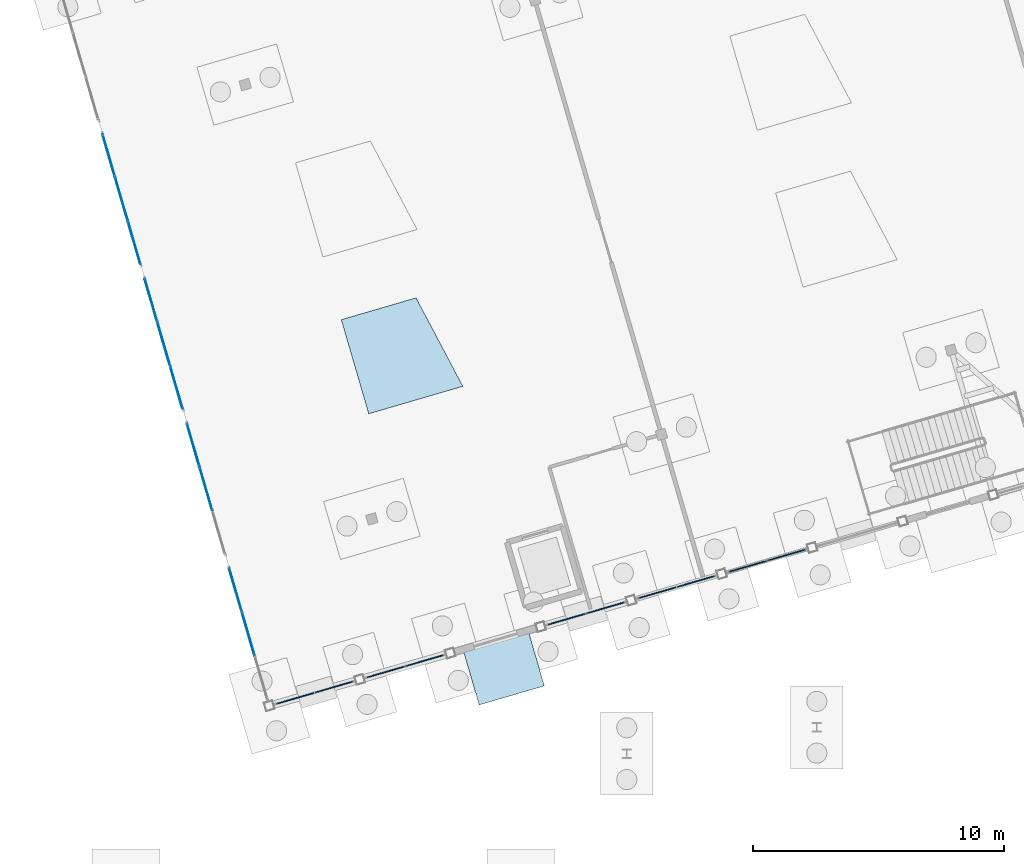
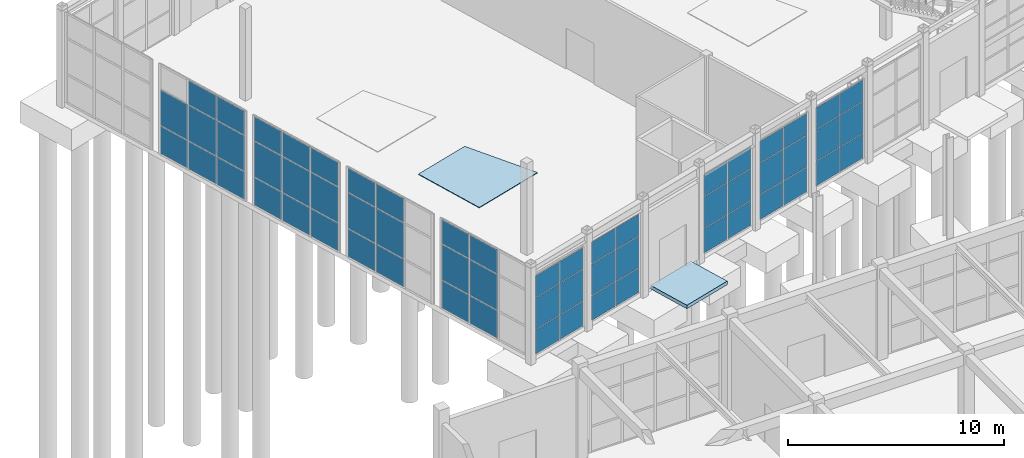
# One storey, part 62 of 90: 59 plates, 2 slabs, 9 elements without a shape of their own.
"""IFC4 building model written with IfcOpenShell, lengths in metres."""

from ifc_helpers import new_model, si_unit, direction, frame, origin, origin_2d, place, context, subcontext, project, spatial, polyline, rectangle, outline, extrude, material, layer, layer_set, type_object, element, aggregate, save


model = new_model("IFC4")

# Units and contexts
model_context = context("Model", 3, precision=1e-05, world=origin(), true_north=direction((0.0, 1.0)))
body_context = subcontext(model_context, "Body", "Model", "MODEL_VIEW")
ifc_project = project(units=[si_unit("LENGTHUNIT", "METRE"), si_unit("AREAUNIT", "SQUARE_METRE"), si_unit("VOLUMEUNIT", "CUBIC_METRE"), si_unit("PLANEANGLEUNIT", "RADIAN"), si_unit("MASSUNIT", "GRAM", prefix="KILO")], contexts=[model_context])

# Site, building, storey
site_placement = place(None, origin())
site = spatial("IfcSite", under=ifc_project, at=site_placement, CompositionType="ELEMENT")
building_placement = place(site_placement, origin())
building = spatial("IfcBuilding", under=site, at=building_placement, Name="Canggui Botanical Conservatory", CompositionType="ELEMENT")
storey_placement = place(building_placement, origin())
storey = spatial("IfcBuildingStorey", under=building, at=storey_placement, Name="L01", CompositionType="ELEMENT", Elevation=0.0)

# Curtain wall, plates
ifc_material_1 = material(Name="Thermally Broken Aluminium", Category="aluminium")
ifc_layer_1 = layer(ifc_material_1, 0.14990234375, Name="Thermally Broken Aluminium", Category="aluminium")
ifc_layer_set_1 = layer_set([ifc_layer_1], Name="Thermally Broken Aluminium")
curtain_wall_type_1 = type_object("IfcCurtainWallType", Name="CW-UNIT-C", PredefinedType="USERDEFINED", material=ifc_layer_set_1)
curtain_wall_1_placement = place(storey_placement, origin())
curtain_wall_1 = element("IfcCurtainWall", 1, at=curtain_wall_1_placement, inside=storey, type_object=curtain_wall_type_1, Name="Facade Curtain Wall CW-CONS-GABLE-S-01", ObjectType="UNITISED CURTAIN WALL", PredefinedType="USERDEFINED")
ifc_material_2 = material(Name="Low-E Insulated Glass", Category="glass")
ifc_layer_2 = layer(ifc_material_2, 0.033935546875, Name="Low-E Insulated Glass", Category="glass")
ifc_layer_set_2 = layer_set([ifc_layer_2], Name="Low-E Insulated Glass")
plate_type_1 = type_object("IfcPlateType", Name="CWP-03", PredefinedType="CURTAIN_PANEL", material=ifc_layer_set_2)
plate_1_placement = place(storey_placement, frame((19.159912109375, 44.8798828125, 0.05517578125), z_axis=(0.0, 0.0, 1.0), x_axis=(-0.279999999995, 0.960000000002, 0.0)))
plate_1 = element("IfcPlate", 2, at=plate_1_placement, type_object=plate_type_1, Name="CW-03 panel 2.1", PredefinedType="CURTAIN_PANEL", context=body_context, shape_type="SweptSolid", body=[
    extrude(rectangle(XDim=1.7734375, YDim=0.033935546875, at=origin_2d()), origin(), (0.0, 0.0, 1.0), 1.549560546875),
])
plate_2_placement = place(storey_placement, frame((19.159912109375, 44.8798828125, 1.65966796875), z_axis=(0.0, 0.0, 1.0), x_axis=(-0.279999999995, 0.960000000002, 0.0)))
plate_2 = element("IfcPlate", 3, at=plate_2_placement, type_object=plate_type_1, Name="CW-03 panel 2.2", PredefinedType="CURTAIN_PANEL", context=body_context, shape_type="SweptSolid", body=[
    extrude(rectangle(XDim=1.7734375, YDim=0.033935546875, at=origin_2d()), origin(), (0.0, 0.0, 1.0), 1.985107421875),
])
plate_3_placement = place(storey_placement, frame((19.159912109375, 44.8798828125, 3.69970703125), z_axis=(0.0, 0.0, 1.0), x_axis=(-0.279999999995, 0.960000000002, 0.0)))
plate_3 = element("IfcPlate", 4, at=plate_3_placement, type_object=plate_type_1, Name="CW-03 panel 2.3", PredefinedType="CURTAIN_PANEL", context=body_context, shape_type="SweptSolid", body=[
    extrude(rectangle(XDim=1.7734375, YDim=0.033935546875, at=origin_2d()), origin(), (0.0, 0.0, 1.0), 1.345458984375),
])
plate_4_placement = place(storey_placement, frame((18.65087890625, 46.62548828125, 0.05517578125), z_axis=(0.0, 0.0, 1.0), x_axis=(-0.279999999995, 0.960000000002, 0.0)))
plate_4 = element("IfcPlate", 5, at=plate_4_placement, type_object=plate_type_1, Name="CW-03 panel 3.1", PredefinedType="CURTAIN_PANEL", context=body_context, shape_type="SweptSolid", body=[
    extrude(rectangle(XDim=1.743408203125, YDim=0.033935546875, at=origin_2d()), origin(), (0.0, 0.0, 1.0), 1.549560546875),
])
plate_5_placement = place(storey_placement, frame((18.65087890625, 46.62548828125, 1.65966796875), z_axis=(0.0, 0.0, 1.0), x_axis=(-0.279999999995, 0.960000000002, 0.0)))
plate_5 = element("IfcPlate", 6, at=plate_5_placement, type_object=plate_type_1, Name="CW-03 panel 3.2", PredefinedType="CURTAIN_PANEL", context=body_context, shape_type="SweptSolid", body=[
    extrude(rectangle(XDim=1.743408203125, YDim=0.033935546875, at=origin_2d()), origin(), (0.0, 0.0, 1.0), 1.985107421875),
])
plate_6_placement = place(storey_placement, frame((18.65087890625, 46.62548828125, 3.69970703125), z_axis=(0.0, 0.0, 1.0), x_axis=(-0.279999999995, 0.960000000002, 0.0)))
plate_6 = element("IfcPlate", 7, at=plate_6_placement, type_object=plate_type_1, Name="CW-03 panel 3.3", PredefinedType="CURTAIN_PANEL", context=body_context, shape_type="SweptSolid", body=[
    extrude(rectangle(XDim=1.743408203125, YDim=0.033935546875, at=origin_2d()), origin(), (0.0, 0.0, 1.0), 1.345458984375),
])
aggregate(curtain_wall_1, [plate_1, plate_2, plate_3, plate_4, plate_5, plate_6])

curtain_wall_2_placement = place(storey_placement, origin())
curtain_wall_2 = element("IfcCurtainWall", 8, at=curtain_wall_2_placement, inside=storey, type_object=curtain_wall_type_1, Name="Facade Curtain Wall CW-CONS-GABLE-S-02", ObjectType="UNITISED CURTAIN WALL", PredefinedType="USERDEFINED")
plate_7_placement = place(storey_placement, frame((17.47998046875, 50.639892578125, 0.05517578125), z_axis=(0.0, 0.0, 1.0), x_axis=(-0.279999999995, 0.960000000002, 0.0)))
plate_7 = element("IfcPlate", 9, at=plate_7_placement, type_object=plate_type_1, Name="CW-03 panel 2.1", PredefinedType="CURTAIN_PANEL", context=body_context, shape_type="SweptSolid", body=[
    extrude(rectangle(XDim=1.7734375, YDim=0.033935546875, at=origin_2d()), origin(), (0.0, 0.0, 1.0), 1.549560546875),
])
plate_8_placement = place(storey_placement, frame((17.47998046875, 50.639892578125, 1.65966796875), z_axis=(0.0, 0.0, 1.0), x_axis=(-0.279999999995, 0.960000000002, 0.0)))
plate_8 = element("IfcPlate", 10, at=plate_8_placement, type_object=plate_type_1, Name="CW-03 panel 2.2", PredefinedType="CURTAIN_PANEL", context=body_context, shape_type="SweptSolid", body=[
    extrude(rectangle(XDim=1.7734375, YDim=0.033935546875, at=origin_2d()), origin(), (0.0, 0.0, 1.0), 1.985107421875),
])
plate_9_placement = place(storey_placement, frame((17.47998046875, 50.639892578125, 3.69970703125), z_axis=(0.0, 0.0, 1.0), x_axis=(-0.279999999995, 0.960000000002, 0.0)))
plate_9 = element("IfcPlate", 11, at=plate_9_placement, type_object=plate_type_1, Name="CW-03 panel 2.3", PredefinedType="CURTAIN_PANEL", context=body_context, shape_type="SweptSolid", body=[
    extrude(rectangle(XDim=1.7734375, YDim=0.033935546875, at=origin_2d()), origin(), (0.0, 0.0, 1.0), 1.345458984375),
])
plate_10_placement = place(storey_placement, frame((16.970947265625, 52.385498046875, 0.05517578125), z_axis=(0.0, 0.0, 1.0), x_axis=(-0.279999999995, 0.960000000002, 0.0)))
plate_10 = element("IfcPlate", 12, at=plate_10_placement, type_object=plate_type_1, Name="CW-03 panel 3.1", PredefinedType="CURTAIN_PANEL", context=body_context, shape_type="SweptSolid", body=[
    extrude(rectangle(XDim=1.743408203125, YDim=0.033935546875, at=origin_2d()), origin(), (0.0, 0.0, 1.0), 1.549560546875),
])
plate_11_placement = place(storey_placement, frame((16.970947265625, 52.385498046875, 1.65966796875), z_axis=(0.0, 0.0, 1.0), x_axis=(-0.279999999995, 0.960000000002, 0.0)))
plate_11 = element("IfcPlate", 13, at=plate_11_placement, type_object=plate_type_1, Name="CW-03 panel 3.2", PredefinedType="CURTAIN_PANEL", context=body_context, shape_type="SweptSolid", body=[
    extrude(rectangle(XDim=1.743408203125, YDim=0.033935546875, at=origin_2d()), origin(), (0.0, 0.0, 1.0), 1.985107421875),
])
plate_12_placement = place(storey_placement, frame((16.970947265625, 52.385498046875, 3.69970703125), z_axis=(0.0, 0.0, 1.0), x_axis=(-0.279999999995, 0.960000000002, 0.0)))
plate_12 = element("IfcPlate", 14, at=plate_12_placement, type_object=plate_type_1, Name="CW-03 panel 3.3", PredefinedType="CURTAIN_PANEL", context=body_context, shape_type="SweptSolid", body=[
    extrude(rectangle(XDim=1.743408203125, YDim=0.033935546875, at=origin_2d()), origin(), (0.0, 0.0, 1.0), 1.345458984375),
])
aggregate(curtain_wall_2, [plate_7, plate_8, plate_9, plate_10, plate_11, plate_12])

curtain_wall_3_placement = place(storey_placement, origin())
curtain_wall_3 = element("IfcCurtainWall", 15, at=curtain_wall_3_placement, inside=storey, type_object=curtain_wall_type_1, Name="Facade Curtain Wall CW-CONS-GABLE-S-03", ObjectType="UNITISED CURTAIN WALL", PredefinedType="USERDEFINED")
plate_13_placement = place(storey_placement, frame((16.30908203125, 54.654296875, 0.05517578125), z_axis=(0.0, 0.0, 1.0), x_axis=(-0.279999999995, 0.960000000002, 0.0)))
plate_13 = element("IfcPlate", 16, at=plate_13_placement, type_object=plate_type_1, Name="CW-03 panel 1.1", PredefinedType="CURTAIN_PANEL", context=body_context, shape_type="SweptSolid", body=[
    extrude(rectangle(XDim=1.743408203125, YDim=0.033935546875, at=origin_2d()), origin(), (0.0, 0.0, 1.0), 1.549560546875),
])
plate_14_placement = place(storey_placement, frame((16.30908203125, 54.654296875, 1.65966796875), z_axis=(0.0, 0.0, 1.0), x_axis=(-0.279999999995, 0.960000000002, 0.0)))
plate_14 = element("IfcPlate", 17, at=plate_14_placement, type_object=plate_type_1, Name="CW-03 panel 1.2", PredefinedType="CURTAIN_PANEL", context=body_context, shape_type="SweptSolid", body=[
    extrude(rectangle(XDim=1.743408203125, YDim=0.033935546875, at=origin_2d()), origin(), (0.0, 0.0, 1.0), 1.985107421875),
])
plate_15_placement = place(storey_placement, frame((16.30908203125, 54.654296875, 3.69970703125), z_axis=(0.0, 0.0, 1.0), x_axis=(-0.279999999995, 0.960000000002, 0.0)))
plate_15 = element("IfcPlate", 18, at=plate_15_placement, type_object=plate_type_1, Name="CW-03 panel 1.3", PredefinedType="CURTAIN_PANEL", context=body_context, shape_type="SweptSolid", body=[
    extrude(rectangle(XDim=1.743408203125, YDim=0.033935546875, at=origin_2d()), origin(), (0.0, 0.0, 1.0), 1.345458984375),
])
plate_16_placement = place(storey_placement, frame((15.800048828125, 56.39990234375, 0.05517578125), z_axis=(0.0, 0.0, 1.0), x_axis=(-0.279999999995, 0.960000000002, 0.0)))
plate_16 = element("IfcPlate", 19, at=plate_16_placement, type_object=plate_type_1, Name="CW-03 panel 2.1", PredefinedType="CURTAIN_PANEL", context=body_context, shape_type="SweptSolid", body=[
    extrude(rectangle(XDim=1.7734375, YDim=0.033935546875, at=origin_2d()), origin(), (0.0, 0.0, 1.0), 1.549560546875),
])
plate_17_placement = place(storey_placement, frame((15.800048828125, 56.39990234375, 1.65966796875), z_axis=(0.0, 0.0, 1.0), x_axis=(-0.279999999995, 0.960000000002, 0.0)))
plate_17 = element("IfcPlate", 20, at=plate_17_placement, type_object=plate_type_1, Name="CW-03 panel 2.2", PredefinedType="CURTAIN_PANEL", context=body_context, shape_type="SweptSolid", body=[
    extrude(rectangle(XDim=1.7734375, YDim=0.033935546875, at=origin_2d()), origin(), (0.0, 0.0, 1.0), 1.985107421875),
])
plate_18_placement = place(storey_placement, frame((15.800048828125, 56.39990234375, 3.69970703125), z_axis=(0.0, 0.0, 1.0), x_axis=(-0.279999999995, 0.960000000002, 0.0)))
plate_18 = element("IfcPlate", 21, at=plate_18_placement, type_object=plate_type_1, Name="CW-03 panel 2.3", PredefinedType="CURTAIN_PANEL", context=body_context, shape_type="SweptSolid", body=[
    extrude(rectangle(XDim=1.7734375, YDim=0.033935546875, at=origin_2d()), origin(), (0.0, 0.0, 1.0), 1.345458984375),
])
plate_19_placement = place(storey_placement, frame((15.290771484375, 58.1455078125, 0.05517578125), z_axis=(0.0, 0.0, 1.0), x_axis=(-0.279999999995, 0.960000000002, 0.0)))
plate_19 = element("IfcPlate", 22, at=plate_19_placement, type_object=plate_type_1, Name="CW-03 panel 3.1", PredefinedType="CURTAIN_PANEL", context=body_context, shape_type="SweptSolid", body=[
    extrude(rectangle(XDim=1.743408203125, YDim=0.033935546875, at=origin_2d()), origin(), (0.0, 0.0, 1.0), 1.549560546875),
])
plate_20_placement = place(storey_placement, frame((15.290771484375, 58.1455078125, 1.65966796875), z_axis=(0.0, 0.0, 1.0), x_axis=(-0.279999999995, 0.960000000002, 0.0)))
plate_20 = element("IfcPlate", 23, at=plate_20_placement, type_object=plate_type_1, Name="CW-03 panel 3.2", PredefinedType="CURTAIN_PANEL", context=body_context, shape_type="SweptSolid", body=[
    extrude(rectangle(XDim=1.743408203125, YDim=0.033935546875, at=origin_2d()), origin(), (0.0, 0.0, 1.0), 1.985107421875),
])
plate_21_placement = place(storey_placement, frame((15.290771484375, 58.1455078125, 3.69970703125), z_axis=(0.0, 0.0, 1.0), x_axis=(-0.279999999995, 0.960000000002, 0.0)))
plate_21 = element("IfcPlate", 24, at=plate_21_placement, type_object=plate_type_1, Name="CW-03 panel 3.3", PredefinedType="CURTAIN_PANEL", context=body_context, shape_type="SweptSolid", body=[
    extrude(rectangle(XDim=1.743408203125, YDim=0.033935546875, at=origin_2d()), origin(), (0.0, 0.0, 1.0), 1.345458984375),
])
aggregate(curtain_wall_3, [plate_13, plate_14, plate_15, plate_16, plate_17, plate_18, plate_19, plate_20, plate_21])

curtain_wall_4_placement = place(storey_placement, origin())
curtain_wall_4 = element("IfcCurtainWall", 25, at=curtain_wall_4_placement, inside=storey, type_object=curtain_wall_type_1, Name="Facade Curtain Wall CW-CONS-GABLE-S-04", ObjectType="UNITISED CURTAIN WALL", PredefinedType="USERDEFINED")
plate_22_placement = place(storey_placement, frame((14.629150390625, 60.414306640625, 0.05517578125), z_axis=(0.0, 0.0, 1.0), x_axis=(-0.279999999995, 0.960000000002, 0.0)))
plate_22 = element("IfcPlate", 26, at=plate_22_placement, type_object=plate_type_1, Name="CW-03 panel 1.1", PredefinedType="CURTAIN_PANEL", context=body_context, shape_type="SweptSolid", body=[
    extrude(rectangle(XDim=1.743408203125, YDim=0.033935546875, at=origin_2d()), origin(), (0.0, 0.0, 1.0), 1.549560546875),
])
plate_23_placement = place(storey_placement, frame((14.629150390625, 60.414306640625, 1.65966796875), z_axis=(0.0, 0.0, 1.0), x_axis=(-0.279999999995, 0.960000000002, 0.0)))
plate_23 = element("IfcPlate", 27, at=plate_23_placement, type_object=plate_type_1, Name="CW-03 panel 1.2", PredefinedType="CURTAIN_PANEL", context=body_context, shape_type="SweptSolid", body=[
    extrude(rectangle(XDim=1.743408203125, YDim=0.033935546875, at=origin_2d()), origin(), (0.0, 0.0, 1.0), 1.985107421875),
])
plate_24_placement = place(storey_placement, frame((14.629150390625, 60.414306640625, 3.69970703125), z_axis=(0.0, 0.0, 1.0), x_axis=(-0.279999999995, 0.960000000002, 0.0)))
plate_24 = element("IfcPlate", 28, at=plate_24_placement, type_object=plate_type_1, Name="CW-03 panel 1.3", PredefinedType="CURTAIN_PANEL", context=body_context, shape_type="SweptSolid", body=[
    extrude(rectangle(XDim=1.743408203125, YDim=0.033935546875, at=origin_2d()), origin(), (0.0, 0.0, 1.0), 1.345458984375),
])
plate_25_placement = place(storey_placement, frame((14.1201171875, 62.159912109375, 0.05517578125), z_axis=(0.0, 0.0, 1.0), x_axis=(-0.279999999995, 0.960000000002, 0.0)))
plate_25 = element("IfcPlate", 29, at=plate_25_placement, type_object=plate_type_1, Name="CW-03 panel 2.1", PredefinedType="CURTAIN_PANEL", context=body_context, shape_type="SweptSolid", body=[
    extrude(rectangle(XDim=1.7734375, YDim=0.033935546875, at=origin_2d()), origin(), (0.0, 0.0, 1.0), 1.549560546875),
])
plate_26_placement = place(storey_placement, frame((14.1201171875, 62.159912109375, 1.65966796875), z_axis=(0.0, 0.0, 1.0), x_axis=(-0.279999999995, 0.960000000002, 0.0)))
plate_26 = element("IfcPlate", 30, at=plate_26_placement, type_object=plate_type_1, Name="CW-03 panel 2.2", PredefinedType="CURTAIN_PANEL", context=body_context, shape_type="SweptSolid", body=[
    extrude(rectangle(XDim=1.7734375, YDim=0.033935546875, at=origin_2d()), origin(), (0.0, 0.0, 1.0), 1.985107421875),
])
plate_27_placement = place(storey_placement, frame((14.1201171875, 62.159912109375, 3.69970703125), z_axis=(0.0, 0.0, 1.0), x_axis=(-0.279999999995, 0.960000000002, 0.0)))
plate_27 = element("IfcPlate", 31, at=plate_27_placement, type_object=plate_type_1, Name="CW-03 panel 2.3", PredefinedType="CURTAIN_PANEL", context=body_context, shape_type="SweptSolid", body=[
    extrude(rectangle(XDim=1.7734375, YDim=0.033935546875, at=origin_2d()), origin(), (0.0, 0.0, 1.0), 1.345458984375),
])
plate_28_placement = place(storey_placement, frame((13.61083984375, 63.905517578125, 0.05517578125), z_axis=(0.0, 0.0, 1.0), x_axis=(-0.279999999995, 0.960000000002, 0.0)))
plate_28 = element("IfcPlate", 32, at=plate_28_placement, type_object=plate_type_1, Name="CW-03 panel 3.1", PredefinedType="CURTAIN_PANEL", context=body_context, shape_type="SweptSolid", body=[
    extrude(rectangle(XDim=1.743408203125, YDim=0.033935546875, at=origin_2d()), origin(), (0.0, 0.0, 1.0), 1.549560546875),
])
plate_29_placement = place(storey_placement, frame((13.61083984375, 63.905517578125, 1.65966796875), z_axis=(0.0, 0.0, 1.0), x_axis=(-0.279999999995, 0.960000000002, 0.0)))
plate_29 = element("IfcPlate", 33, at=plate_29_placement, type_object=plate_type_1, Name="CW-03 panel 3.2", PredefinedType="CURTAIN_PANEL", context=body_context, shape_type="SweptSolid", body=[
    extrude(rectangle(XDim=1.743408203125, YDim=0.033935546875, at=origin_2d()), origin(), (0.0, 0.0, 1.0), 1.985107421875),
])
aggregate(curtain_wall_4, [plate_22, plate_23, plate_24, plate_25, plate_26, plate_27, plate_28, plate_29])

ifc_layer_3 = layer(ifc_material_1, 0.1201171875, Name="Thermally Broken Aluminium", Category="aluminium")
ifc_layer_set_3 = layer_set([ifc_layer_3], Name="Thermally Broken Aluminium")
curtain_wall_type_2 = type_object("IfcCurtainWallType", Name="CW-STICK-B", PredefinedType="USERDEFINED", material=ifc_layer_set_3)
curtain_wall_5_placement = place(storey_placement, origin())
curtain_wall_5 = element("IfcCurtainWall", 34, at=curtain_wall_5_placement, inside=storey, type_object=curtain_wall_type_2, Name="Facade Curtain Wall CW-CONS-L01-V0-01", ObjectType="STICK GLAZED WALL", PredefinedType="USERDEFINED")
ifc_layer_4 = layer(ifc_material_2, 0.0419921875, Name="Low-E Insulated Glass", Category="glass")
ifc_layer_set_4 = layer_set([ifc_layer_4], Name="Low-E Insulated Glass")
plate_type_2 = type_object("IfcPlateType", Name="CWP-05", PredefinedType="CURTAIN_PANEL", material=ifc_layer_set_4)
plate_30_placement = place(storey_placement, frame((22.56689453125, 42.74853515625, 0.044921875), z_axis=(0.0, 0.0, 1.0), x_axis=(-0.960000000002, -0.279999999995, 0.0)))
plate_30 = element("IfcPlate", 35, at=plate_30_placement, type_object=plate_type_2, Name="CW-05 panel 1.1", PredefinedType="CURTAIN_PANEL", context=body_context, shape_type="SweptSolid", body=[
    extrude(rectangle(XDim=1.54248046875, YDim=0.0419921875, at=origin_2d()), origin(), (0.0, 0.0, 1.0), 1.37255859375),
])
plate_31_placement = place(storey_placement, frame((22.56689453125, 42.74853515625, 1.462646484375), z_axis=(0.0, 0.0, 1.0), x_axis=(-0.960000000002, -0.279999999995, 0.0)))
plate_31 = element("IfcPlate", 36, at=plate_31_placement, type_object=plate_type_2, Name="CW-05 panel 1.2", PredefinedType="CURTAIN_PANEL", context=body_context, shape_type="SweptSolid", body=[
    extrude(rectangle(XDim=1.54248046875, YDim=0.0419921875, at=origin_2d()), origin(), (0.0, 0.0, 1.0), 1.7548828125),
])
plate_32_placement = place(storey_placement, frame((22.56689453125, 42.74853515625, 3.262451171875), z_axis=(0.0, 0.0, 1.0), x_axis=(-0.960000000002, -0.279999999995, 0.0)))
plate_32 = element("IfcPlate", 37, at=plate_32_placement, type_object=plate_type_2, Name="CW-05 panel 1.3", PredefinedType="CURTAIN_PANEL", context=body_context, shape_type="SweptSolid", body=[
    extrude(rectangle(XDim=1.54248046875, YDim=0.0419921875, at=origin_2d()), origin(), (0.0, 0.0, 1.0), 1.1923828125),
])
plate_33_placement = place(storey_placement, frame((21.033203125, 42.30126953125, 0.044921875), z_axis=(0.0, 0.0, 1.0), x_axis=(-0.960000000002, -0.279999999995, 0.0)))
plate_33 = element("IfcPlate", 38, at=plate_33_placement, type_object=plate_type_2, Name="CW-05 panel 2.1", PredefinedType="CURTAIN_PANEL", context=body_context, shape_type="SweptSolid", body=[
    extrude(rectangle(XDim=1.54248046875, YDim=0.0419921875, at=origin_2d()), origin(), (0.0, 0.0, 1.0), 1.37255859375),
])
plate_34_placement = place(storey_placement, frame((21.033203125, 42.30126953125, 1.462646484375), z_axis=(0.0, 0.0, 1.0), x_axis=(-0.960000000002, -0.279999999995, 0.0)))
plate_34 = element("IfcPlate", 39, at=plate_34_placement, type_object=plate_type_2, Name="CW-05 panel 2.2", PredefinedType="CURTAIN_PANEL", context=body_context, shape_type="SweptSolid", body=[
    extrude(rectangle(XDim=1.54248046875, YDim=0.0419921875, at=origin_2d()), origin(), (0.0, 0.0, 1.0), 1.7548828125),
])
plate_35_placement = place(storey_placement, frame((21.033203125, 42.30126953125, 3.262451171875), z_axis=(0.0, 0.0, 1.0), x_axis=(-0.960000000002, -0.279999999995, 0.0)))
plate_35 = element("IfcPlate", 40, at=plate_35_placement, type_object=plate_type_2, Name="CW-05 panel 2.3", PredefinedType="CURTAIN_PANEL", context=body_context, shape_type="SweptSolid", body=[
    extrude(rectangle(XDim=1.54248046875, YDim=0.0419921875, at=origin_2d()), origin(), (0.0, 0.0, 1.0), 1.1923828125),
])
aggregate(curtain_wall_5, [plate_30, plate_31, plate_32, plate_33, plate_34, plate_35])

curtain_wall_6_placement = place(storey_placement, origin())
curtain_wall_6 = element("IfcCurtainWall", 41, at=curtain_wall_6_placement, inside=storey, type_object=curtain_wall_type_2, Name="Facade Curtain Wall CW-CONS-L01-V0-02", ObjectType="STICK GLAZED WALL", PredefinedType="USERDEFINED")
plate_36_placement = place(storey_placement, frame((26.166748046875, 43.798583984375, 0.044921875), z_axis=(0.0, 0.0, 1.0), x_axis=(-0.960000000002, -0.279999999995, 0.0)))
plate_36 = element("IfcPlate", 42, at=plate_36_placement, type_object=plate_type_2, Name="CW-05 panel 1.1", PredefinedType="CURTAIN_PANEL", context=body_context, shape_type="SweptSolid", body=[
    extrude(rectangle(XDim=1.54248046875, YDim=0.0419921875, at=origin_2d()), origin(), (0.0, 0.0, 1.0), 1.37255859375),
])
plate_37_placement = place(storey_placement, frame((26.166748046875, 43.798583984375, 1.462646484375), z_axis=(0.0, 0.0, 1.0), x_axis=(-0.960000000002, -0.279999999995, 0.0)))
plate_37 = element("IfcPlate", 43, at=plate_37_placement, type_object=plate_type_2, Name="CW-05 panel 1.2", PredefinedType="CURTAIN_PANEL", context=body_context, shape_type="SweptSolid", body=[
    extrude(rectangle(XDim=1.54248046875, YDim=0.0419921875, at=origin_2d()), origin(), (0.0, 0.0, 1.0), 1.7548828125),
])
plate_38_placement = place(storey_placement, frame((26.166748046875, 43.798583984375, 3.262451171875), z_axis=(0.0, 0.0, 1.0), x_axis=(-0.960000000002, -0.279999999995, 0.0)))
plate_38 = element("IfcPlate", 44, at=plate_38_placement, type_object=plate_type_2, Name="CW-05 panel 1.3", PredefinedType="CURTAIN_PANEL", context=body_context, shape_type="SweptSolid", body=[
    extrude(rectangle(XDim=1.54248046875, YDim=0.0419921875, at=origin_2d()), origin(), (0.0, 0.0, 1.0), 1.1923828125),
])
plate_39_placement = place(storey_placement, frame((24.63330078125, 43.351318359375, 0.044921875), z_axis=(0.0, 0.0, 1.0), x_axis=(-0.960000000002, -0.279999999995, 0.0)))
plate_39 = element("IfcPlate", 45, at=plate_39_placement, type_object=plate_type_2, Name="CW-05 panel 2.1", PredefinedType="CURTAIN_PANEL", context=body_context, shape_type="SweptSolid", body=[
    extrude(rectangle(XDim=1.54248046875, YDim=0.0419921875, at=origin_2d()), origin(), (0.0, 0.0, 1.0), 1.37255859375),
])
plate_40_placement = place(storey_placement, frame((24.63330078125, 43.351318359375, 1.462646484375), z_axis=(0.0, 0.0, 1.0), x_axis=(-0.960000000002, -0.279999999995, 0.0)))
plate_40 = element("IfcPlate", 46, at=plate_40_placement, type_object=plate_type_2, Name="CW-05 panel 2.2", PredefinedType="CURTAIN_PANEL", context=body_context, shape_type="SweptSolid", body=[
    extrude(rectangle(XDim=1.54248046875, YDim=0.0419921875, at=origin_2d()), origin(), (0.0, 0.0, 1.0), 1.7548828125),
])
plate_41_placement = place(storey_placement, frame((24.63330078125, 43.351318359375, 3.262451171875), z_axis=(0.0, 0.0, 1.0), x_axis=(-0.960000000002, -0.279999999995, 0.0)))
plate_41 = element("IfcPlate", 47, at=plate_41_placement, type_object=plate_type_2, Name="CW-05 panel 2.3", PredefinedType="CURTAIN_PANEL", context=body_context, shape_type="SweptSolid", body=[
    extrude(rectangle(XDim=1.54248046875, YDim=0.0419921875, at=origin_2d()), origin(), (0.0, 0.0, 1.0), 1.1923828125),
])
aggregate(curtain_wall_6, [plate_36, plate_37, plate_38, plate_39, plate_40, plate_41])

curtain_wall_7_placement = place(storey_placement, origin())
curtain_wall_7 = element("IfcCurtainWall", 48, at=curtain_wall_7_placement, inside=storey, type_object=curtain_wall_type_2, Name="Facade Curtain Wall CW-CONS-L01-V0-04", ObjectType="STICK GLAZED WALL", PredefinedType="USERDEFINED")
plate_42_placement = place(storey_placement, frame((33.36669921875, 45.898681640625, 0.044921875), z_axis=(0.0, 0.0, 1.0), x_axis=(-0.960000000002, -0.279999999995, 0.0)))
plate_42 = element("IfcPlate", 49, at=plate_42_placement, type_object=plate_type_2, Name="CW-05 panel 1.1", PredefinedType="CURTAIN_PANEL", context=body_context, shape_type="SweptSolid", body=[
    extrude(rectangle(XDim=1.54248046875, YDim=0.0419921875, at=origin_2d()), origin(), (0.0, 0.0, 1.0), 1.37255859375),
])
plate_43_placement = place(storey_placement, frame((33.36669921875, 45.898681640625, 1.462646484375), z_axis=(0.0, 0.0, 1.0), x_axis=(-0.960000000002, -0.279999999995, 0.0)))
plate_43 = element("IfcPlate", 50, at=plate_43_placement, type_object=plate_type_2, Name="CW-05 panel 1.2", PredefinedType="CURTAIN_PANEL", context=body_context, shape_type="SweptSolid", body=[
    extrude(rectangle(XDim=1.54248046875, YDim=0.0419921875, at=origin_2d()), origin(), (0.0, 0.0, 1.0), 1.7548828125),
])
plate_44_placement = place(storey_placement, frame((33.36669921875, 45.898681640625, 3.262451171875), z_axis=(0.0, 0.0, 1.0), x_axis=(-0.960000000002, -0.279999999995, 0.0)))
plate_44 = element("IfcPlate", 51, at=plate_44_placement, type_object=plate_type_2, Name="CW-05 panel 1.3", PredefinedType="CURTAIN_PANEL", context=body_context, shape_type="SweptSolid", body=[
    extrude(rectangle(XDim=1.54248046875, YDim=0.0419921875, at=origin_2d()), origin(), (0.0, 0.0, 1.0), 1.1923828125),
])
plate_45_placement = place(storey_placement, frame((31.833251953125, 45.451416015625, 0.044921875), z_axis=(0.0, 0.0, 1.0), x_axis=(-0.960000000002, -0.279999999995, 0.0)))
plate_45 = element("IfcPlate", 52, at=plate_45_placement, type_object=plate_type_2, Name="CW-05 panel 2.1", PredefinedType="CURTAIN_PANEL", context=body_context, shape_type="SweptSolid", body=[
    extrude(rectangle(XDim=1.54248046875, YDim=0.0419921875, at=origin_2d()), origin(), (0.0, 0.0, 1.0), 1.37255859375),
])
plate_46_placement = place(storey_placement, frame((31.833251953125, 45.451416015625, 1.462646484375), z_axis=(0.0, 0.0, 1.0), x_axis=(-0.960000000002, -0.279999999995, 0.0)))
plate_46 = element("IfcPlate", 53, at=plate_46_placement, type_object=plate_type_2, Name="CW-05 panel 2.2", PredefinedType="CURTAIN_PANEL", context=body_context, shape_type="SweptSolid", body=[
    extrude(rectangle(XDim=1.54248046875, YDim=0.0419921875, at=origin_2d()), origin(), (0.0, 0.0, 1.0), 1.7548828125),
])
plate_47_placement = place(storey_placement, frame((31.833251953125, 45.451416015625, 3.262451171875), z_axis=(0.0, 0.0, 1.0), x_axis=(-0.960000000002, -0.279999999995, 0.0)))
plate_47 = element("IfcPlate", 54, at=plate_47_placement, type_object=plate_type_2, Name="CW-05 panel 2.3", PredefinedType="CURTAIN_PANEL", context=body_context, shape_type="SweptSolid", body=[
    extrude(rectangle(XDim=1.54248046875, YDim=0.0419921875, at=origin_2d()), origin(), (0.0, 0.0, 1.0), 1.1923828125),
])
aggregate(curtain_wall_7, [plate_42, plate_43, plate_44, plate_45, plate_46, plate_47])

curtain_wall_8_placement = place(storey_placement, origin())
curtain_wall_8 = element("IfcCurtainWall", 55, at=curtain_wall_8_placement, inside=storey, type_object=curtain_wall_type_2, Name="Facade Curtain Wall CW-CONS-L01-V0-05", ObjectType="STICK GLAZED WALL", PredefinedType="USERDEFINED")
plate_48_placement = place(storey_placement, frame((36.966796875, 46.94873046875, 0.044921875), z_axis=(0.0, 0.0, 1.0), x_axis=(-0.960000000002, -0.279999999995, 0.0)))
plate_48 = element("IfcPlate", 56, at=plate_48_placement, type_object=plate_type_2, Name="CW-05 panel 1.1", PredefinedType="CURTAIN_PANEL", context=body_context, shape_type="SweptSolid", body=[
    extrude(rectangle(XDim=1.54248046875, YDim=0.0419921875, at=origin_2d()), origin(), (0.0, 0.0, 1.0), 1.37255859375),
])
plate_49_placement = place(storey_placement, frame((36.966796875, 46.94873046875, 1.462646484375), z_axis=(0.0, 0.0, 1.0), x_axis=(-0.960000000002, -0.279999999995, 0.0)))
plate_49 = element("IfcPlate", 57, at=plate_49_placement, type_object=plate_type_2, Name="CW-05 panel 1.2", PredefinedType="CURTAIN_PANEL", context=body_context, shape_type="SweptSolid", body=[
    extrude(rectangle(XDim=1.54248046875, YDim=0.0419921875, at=origin_2d()), origin(), (0.0, 0.0, 1.0), 1.7548828125),
])
plate_50_placement = place(storey_placement, frame((36.966796875, 46.94873046875, 3.262451171875), z_axis=(0.0, 0.0, 1.0), x_axis=(-0.960000000002, -0.279999999995, 0.0)))
plate_50 = element("IfcPlate", 58, at=plate_50_placement, type_object=plate_type_2, Name="CW-05 panel 1.3", PredefinedType="CURTAIN_PANEL", context=body_context, shape_type="SweptSolid", body=[
    extrude(rectangle(XDim=1.54248046875, YDim=0.0419921875, at=origin_2d()), origin(), (0.0, 0.0, 1.0), 1.1923828125),
])
plate_51_placement = place(storey_placement, frame((35.43310546875, 46.50146484375, 0.044921875), z_axis=(0.0, 0.0, 1.0), x_axis=(-0.960000000002, -0.279999999995, 0.0)))
plate_51 = element("IfcPlate", 59, at=plate_51_placement, type_object=plate_type_2, Name="CW-05 panel 2.1", PredefinedType="CURTAIN_PANEL", context=body_context, shape_type="SweptSolid", body=[
    extrude(rectangle(XDim=1.54248046875, YDim=0.0419921875, at=origin_2d()), origin(), (0.0, 0.0, 1.0), 1.37255859375),
])
plate_52_placement = place(storey_placement, frame((35.43310546875, 46.50146484375, 1.462646484375), z_axis=(0.0, 0.0, 1.0), x_axis=(-0.960000000002, -0.279999999995, 0.0)))
plate_52 = element("IfcPlate", 60, at=plate_52_placement, type_object=plate_type_2, Name="CW-05 panel 2.2", PredefinedType="CURTAIN_PANEL", context=body_context, shape_type="SweptSolid", body=[
    extrude(rectangle(XDim=1.54248046875, YDim=0.0419921875, at=origin_2d()), origin(), (0.0, 0.0, 1.0), 1.7548828125),
])
plate_53_placement = place(storey_placement, frame((35.43310546875, 46.50146484375, 3.262451171875), z_axis=(0.0, 0.0, 1.0), x_axis=(-0.960000000002, -0.279999999995, 0.0)))
plate_53 = element("IfcPlate", 61, at=plate_53_placement, type_object=plate_type_2, Name="CW-05 panel 2.3", PredefinedType="CURTAIN_PANEL", context=body_context, shape_type="SweptSolid", body=[
    extrude(rectangle(XDim=1.54248046875, YDim=0.0419921875, at=origin_2d()), origin(), (0.0, 0.0, 1.0), 1.1923828125),
])
aggregate(curtain_wall_8, [plate_48, plate_49, plate_50, plate_51, plate_52, plate_53])

curtain_wall_9_placement = place(storey_placement, origin())
curtain_wall_9 = element("IfcCurtainWall", 62, at=curtain_wall_9_placement, inside=storey, type_object=curtain_wall_type_2, Name="Facade Curtain Wall CW-CONS-L01-V0-06", ObjectType="STICK GLAZED WALL", PredefinedType="USERDEFINED")
plate_54_placement = place(storey_placement, frame((40.56689453125, 47.99853515625, 0.044921875), z_axis=(0.0, 0.0, 1.0), x_axis=(-0.960000000002, -0.279999999995, 0.0)))
plate_54 = element("IfcPlate", 63, at=plate_54_placement, type_object=plate_type_2, Name="CW-05 panel 1.1", PredefinedType="CURTAIN_PANEL", context=body_context, shape_type="SweptSolid", body=[
    extrude(rectangle(XDim=1.54248046875, YDim=0.0419921875, at=origin_2d()), origin(), (0.0, 0.0, 1.0), 1.37255859375),
])
plate_55_placement = place(storey_placement, frame((40.56689453125, 47.99853515625, 1.462646484375), z_axis=(0.0, 0.0, 1.0), x_axis=(-0.960000000002, -0.279999999995, 0.0)))
plate_55 = element("IfcPlate", 64, at=plate_55_placement, type_object=plate_type_2, Name="CW-05 panel 1.2", PredefinedType="CURTAIN_PANEL", context=body_context, shape_type="SweptSolid", body=[
    extrude(rectangle(XDim=1.54248046875, YDim=0.0419921875, at=origin_2d()), origin(), (0.0, 0.0, 1.0), 1.7548828125),
])
plate_56_placement = place(storey_placement, frame((40.56689453125, 47.99853515625, 3.262451171875), z_axis=(0.0, 0.0, 1.0), x_axis=(-0.960000000002, -0.279999999995, 0.0)))
plate_56 = element("IfcPlate", 65, at=plate_56_placement, type_object=plate_type_2, Name="CW-05 panel 1.3", PredefinedType="CURTAIN_PANEL", context=body_context, shape_type="SweptSolid", body=[
    extrude(rectangle(XDim=1.54248046875, YDim=0.0419921875, at=origin_2d()), origin(), (0.0, 0.0, 1.0), 1.1923828125),
])
plate_57_placement = place(storey_placement, frame((39.033203125, 47.55126953125, 0.044921875), z_axis=(0.0, 0.0, 1.0), x_axis=(-0.960000000002, -0.279999999995, 0.0)))
plate_57 = element("IfcPlate", 66, at=plate_57_placement, type_object=plate_type_2, Name="CW-05 panel 2.1", PredefinedType="CURTAIN_PANEL", context=body_context, shape_type="SweptSolid", body=[
    extrude(rectangle(XDim=1.54248046875, YDim=0.0419921875, at=origin_2d()), origin(), (0.0, 0.0, 1.0), 1.37255859375),
])
plate_58_placement = place(storey_placement, frame((39.033203125, 47.55126953125, 1.462646484375), z_axis=(0.0, 0.0, 1.0), x_axis=(-0.960000000002, -0.279999999995, 0.0)))
plate_58 = element("IfcPlate", 67, at=plate_58_placement, type_object=plate_type_2, Name="CW-05 panel 2.2", PredefinedType="CURTAIN_PANEL", context=body_context, shape_type="SweptSolid", body=[
    extrude(rectangle(XDim=1.54248046875, YDim=0.0419921875, at=origin_2d()), origin(), (0.0, 0.0, 1.0), 1.7548828125),
])
plate_59_placement = place(storey_placement, frame((39.033203125, 47.55126953125, 3.262451171875), z_axis=(0.0, 0.0, 1.0), x_axis=(-0.960000000002, -0.279999999995, 0.0)))
plate_59 = element("IfcPlate", 68, at=plate_59_placement, type_object=plate_type_2, Name="CW-05 panel 2.3", PredefinedType="CURTAIN_PANEL", context=body_context, shape_type="SweptSolid", body=[
    extrude(rectangle(XDim=1.54248046875, YDim=0.0419921875, at=origin_2d()), origin(), (0.0, 0.0, 1.0), 1.1923828125),
])
aggregate(curtain_wall_9, [plate_54, plate_55, plate_56, plate_57, plate_58, plate_59])

# Slabs
ifc_material_3 = material(Name="Concrete C35", Category="concrete")
ifc_layer_5 = layer(ifc_material_3, 0.179931640625, Name="Concrete C35", Category="concrete")
ifc_layer_set_5 = layer_set([ifc_layer_5], Name="Concrete C35")
slab_type_1 = type_object("IfcSlabType", Name="SLAB-PAV-180", PredefinedType="USERDEFINED", material=ifc_layer_set_5)
slab_1_placement = place(storey_placement, origin())
element("IfcSlab", 69, at=slab_1_placement, inside=storey, type_object=slab_type_1, Name="Conservatory Arid Root-Bed Slab 1", ObjectType="PAVING", PredefinedType="USERDEFINED", context=body_context, shape_type="SweptSolid", body=[
    extrude(outline(polyline([(23.9541015625, 53.6220703125), (27.697998046875, 54.714111328125), (25.837890625, 58.23388671875), (22.862060546875, 57.365966796875), (23.9541015625, 53.6220703125)])), origin(), (0.0, 0.0, 1.0), 0.034912109375),
])
ifc_layer_6 = layer(ifc_material_3, 0.199951171875, Name="Concrete C35", Category="concrete")
ifc_layer_set_6 = layer_set([ifc_layer_6], Name="Concrete C35")
slab_type_2 = type_object("IfcSlabType", Name="SLAB-PAV-200", PredefinedType="USERDEFINED", material=ifc_layer_set_6)
slab_2_placement = place(storey_placement, frame((0.0, 0.0, -0.199951171875)))
element("IfcSlab", 70, at=slab_2_placement, inside=storey, type_object=slab_type_2, Name="Entrance Threshold Paving APRON-CONS-14", ObjectType="PAVING", PredefinedType="USERDEFINED", context=body_context, shape_type="SweptSolid", body=[
    extrude(outline(polyline([(27.69775390625, 44.26806640625), (30.289794921875, 45.024169921875), (30.93994140625, 42.794921875), (28.347900390625, 42.0390625), (27.69775390625, 44.26806640625)])), origin(), (0.0, 0.0, 1.0), 0.199951171875),
])

save(model, "model.ifc")
